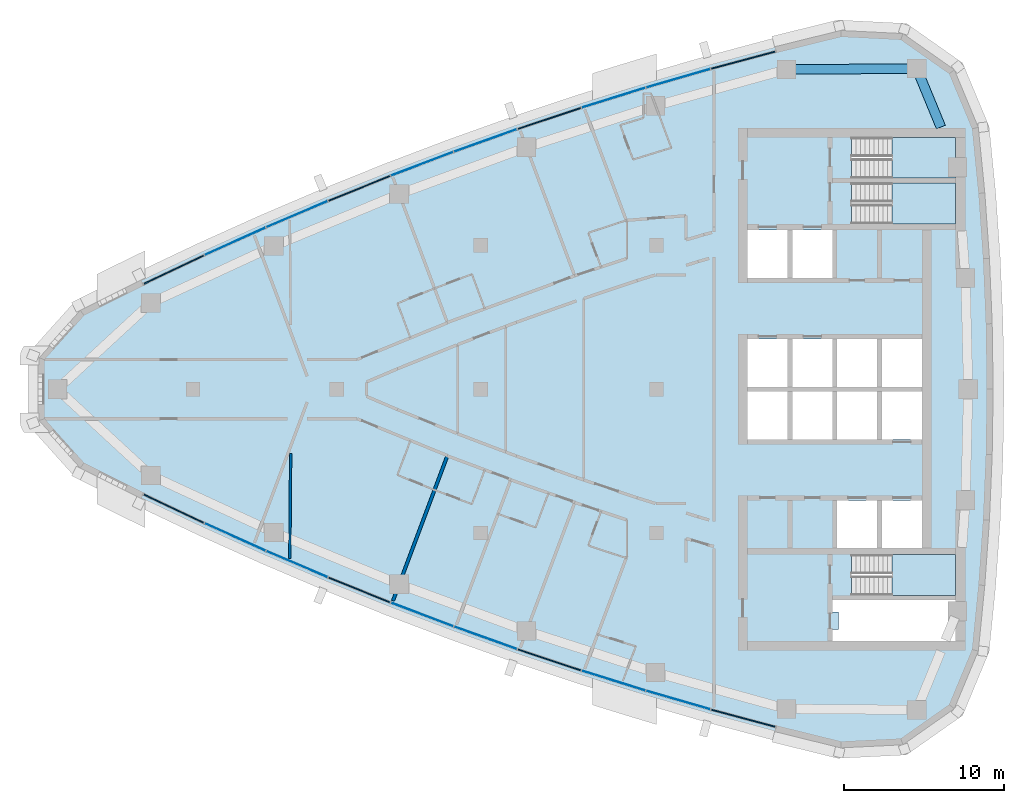
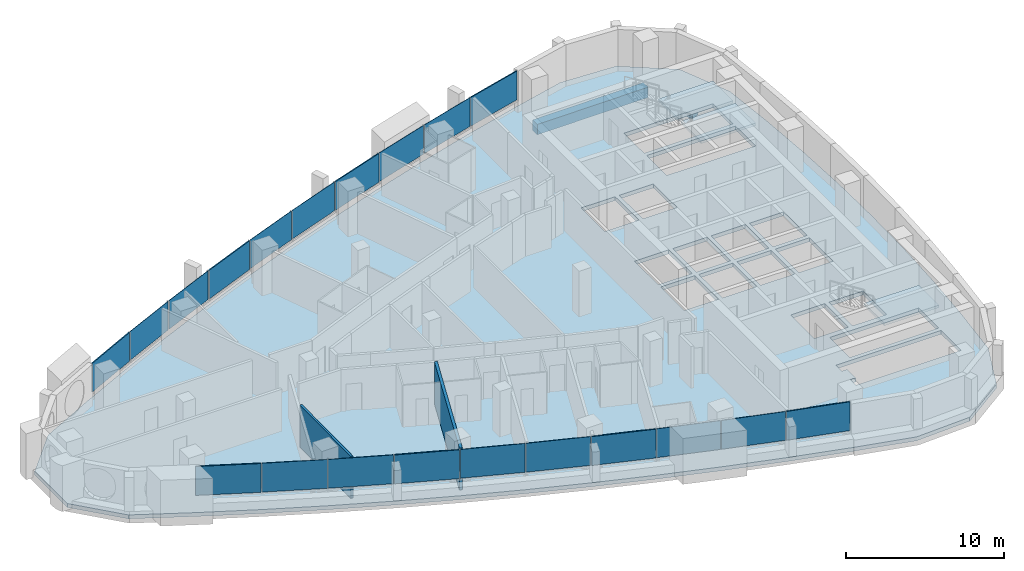
# One storey, part 7 of 16: 20 plates, 4 slabs, 2 beams, 2 walls, 1 opening, 13 elements without a shape of their own.
"""IFC4 building model written with IfcOpenShell, lengths in metres."""

from ifc_helpers import new_model, si_unit, direction, frame, frame_2d, origin, origin_2d, place, context, subcontext, project, spatial, polyline, rectangle, outline, extrude, material, layer, layer_set, material_profile, profile_set, type_object, element, aggregate, save


model = new_model("IFC4")

# Units and contexts
model_context = context("Model", 3, precision=1e-05, world=origin(), true_north=direction((0.0, 1.0)))
body_context = subcontext(model_context, "Body", "Model", "MODEL_VIEW")
ifc_project = project(units=[si_unit("LENGTHUNIT", "METRE"), si_unit("AREAUNIT", "SQUARE_METRE"), si_unit("VOLUMEUNIT", "CUBIC_METRE"), si_unit("PLANEANGLEUNIT", "RADIAN"), si_unit("MASSUNIT", "GRAM", prefix="KILO")], contexts=[model_context])

# Site, building, storey
site_placement = place(None, origin())
site = spatial("IfcSite", under=ifc_project, at=site_placement, CompositionType="ELEMENT")
building_placement = place(site_placement, origin())
building = spatial("IfcBuilding", under=site, at=building_placement, Name="Ostrand Prow Hotel Tower", CompositionType="ELEMENT")
storey_placement = place(building_placement, frame((0.0, 0.0, 220.800048828125)))
storey = spatial("IfcBuildingStorey", under=building, at=storey_placement, Name="L55", CompositionType="ELEMENT", Elevation=220.800048828125)

# Beams
ifc_material_1 = material(Name="Concrete C50/60", Category="concrete")
ifc_material_profile = material_profile(ifc_material_1, rectangle(XDim=0.60009765625, YDim=0.800048828125, at=origin_2d()), Name="RC 600x800")
ifc_profile_set = profile_set([ifc_material_profile], Name="Concrete C50/60")
beam_type = type_object("IfcBeamType", Name="Edge beam 600x800 C50/60", PredefinedType="SPANDREL", material=ifc_profile_set)
beam_1_placement = place(storey_placement, frame((62.7919921875, 16.39990234375, -0.699951171875), z_axis=(-0.380777709221, 0.924666608114, 0.0), x_axis=(-0.924666608114, -0.380777709221, 0.0)))
element("IfcBeam", 1, at=beam_1_placement, inside=storey, type_object=beam_type, Name="Edge beam B5-NE", PredefinedType="SPANDREL", context=body_context, shape_type="SweptSolid", body=[
    extrude(rectangle(XDim=0.60009765625, YDim=0.800048828125, at=origin_2d()), origin(), (0.0, 0.0, 1.0), 3.96044921875),
])
beam_2_placement = place(storey_placement, frame((61.283935546875, 20.06201171875, -0.699951171875), z_axis=(-0.999970657582, -0.007660546678, 0.0), x_axis=(0.007660546678, -0.999970657582, 0.0)))
element("IfcBeam", 2, at=beam_2_placement, inside=storey, type_object=beam_type, Name="Edge beam NE-N1", PredefinedType="SPANDREL", context=body_context, shape_type="SweptSolid", body=[
    extrude(rectangle(XDim=0.60009765625, YDim=0.800048828125, at=origin_2d()), origin(), (0.0, 0.0, 1.0), 8.15869140625),
])

# Curtain wall, plate
ifc_material_2 = material(Name="Insulated glass in bronze anodised frame", Category="glass")
ifc_layer_1 = layer(ifc_material_2, 0.199951171875)
ifc_layer_set_1 = layer_set([ifc_layer_1], Name="Insulated glass in bronze anodised frame")
curtain_wall_type = type_object("IfcCurtainWallType", Name="Strip curtain wall, fritted glass over bronze spandrel", PredefinedType="NOTDEFINED", material=ifc_layer_set_1)
curtain_wall_1_placement = place(storey_placement, origin())
curtain_wall_1 = element("IfcCurtainWall", 3, at=curtain_wall_1_placement, inside=storey, type_object=curtain_wall_type, Name="CW1 run CWS1", PredefinedType="NOTDEFINED")
ifc_material_3 = material(Name="Ceramic-fritted glass", Category="glass")
ifc_layer_2 = layer(ifc_material_3, 0.031982421875)
ifc_layer_set_2 = layer_set([ifc_layer_2], Name="Ceramic-fritted glass")
plate_type_1 = type_object("IfcPlateType", Name="Dot-fritted ceramic glass unit 32 mm", PredefinedType="CURTAIN_PANEL", material=ifc_layer_set_2)
plate_1_placement = place(storey_placement, frame((18.634521484375, -9.249267578125, 1.02001953125), z_axis=(0.0, 0.0, 1.0), x_axis=(0.911823681514, -0.41058199404, 0.0)))
plate_1 = element("IfcPlate", 4, at=plate_1_placement, type_object=plate_type_1, Name="CW1 PN-D panel 2.2", PredefinedType="CURTAIN_PANEL", context=body_context, shape_type="SweptSolid", body=[
    extrude(rectangle(XDim=4.163818359375, YDim=0.031982421875, at=origin_2d()), origin(), (0.0, 0.0, 1.0), 2.22998046875),
])

curtain_wall_2_placement = place(storey_placement, origin())
curtain_wall_2 = element("IfcCurtainWall", 5, at=curtain_wall_2_placement, inside=storey, type_object=curtain_wall_type, Name="CW1 run CWS2", PredefinedType="NOTDEFINED")
plate_2_placement = place(storey_placement, frame((22.502685546875, -10.944580078125, 1.02001953125), z_axis=(0.0, 0.0, 1.0), x_axis=(0.919907070112, -0.392136433347, 0.0)))
plate_2 = element("IfcPlate", 6, at=plate_2_placement, type_object=plate_type_1, Name="CW1 PN-D panel 1.2", PredefinedType="CURTAIN_PANEL", context=body_context, shape_type="SweptSolid", body=[
    extrude(rectangle(XDim=4.163818359375, YDim=0.031982421875, at=origin_2d()), origin(), (0.0, 0.0, 1.0), 2.22998046875),
])

# Curtain wall, plates
curtain_wall_3_placement = place(storey_placement, origin())
curtain_wall_3 = element("IfcCurtainWall", 7, at=curtain_wall_3_placement, inside=storey, type_object=curtain_wall_type, Name="CW1 run CWS3", PredefinedType="NOTDEFINED")
plate_3_placement = place(storey_placement, frame((30.337890625, -14.099609375, 1.02001953125), z_axis=(0.0, 0.0, 1.0), x_axis=(0.934950813567, -0.354777361469, 0.0)))
plate_3 = element("IfcPlate", 8, at=plate_3_placement, type_object=plate_type_1, Name="CW1 PN-D panel 1.2", PredefinedType="CURTAIN_PANEL", context=body_context, shape_type="SweptSolid", body=[
    extrude(rectangle(XDim=4.163818359375, YDim=0.031982421875, at=origin_2d()), origin(), (0.0, 0.0, 1.0), 2.22998046875),
])
plate_4_placement = place(storey_placement, frame((34.3017578125, -15.55810546875, 1.02001953125), z_axis=(0.0, 0.0, 1.0), x_axis=(0.941905718922, -0.335877383374, 0.0)))
plate_4 = element("IfcPlate", 9, at=plate_4_placement, type_object=plate_type_1, Name="CW1 PN-D panel 2.2", PredefinedType="CURTAIN_PANEL", context=body_context, shape_type="SweptSolid", body=[
    extrude(rectangle(XDim=4.163818359375, YDim=0.031982421875, at=origin_2d()), origin(), (0.0, 0.0, 1.0), 2.22998046875),
])
aggregate(curtain_wall_3, [plate_3, plate_4])

# Curtain wall, plate
curtain_wall_4_placement = place(storey_placement, origin())
curtain_wall_4 = element("IfcCurtainWall", 10, at=curtain_wall_4_placement, inside=storey, type_object=curtain_wall_type, Name="CW1 run CWS4", PredefinedType="NOTDEFINED")
plate_5_placement = place(storey_placement, frame((42.31298828125, -18.234375, 1.02001953125), z_axis=(0.0, 0.0, 1.0), x_axis=(0.95466629023, -0.297678138765, 0.0)))
plate_5 = element("IfcPlate", 11, at=plate_5_placement, type_object=plate_type_1, Name="CW1 PN-D panel 2.2", PredefinedType="CURTAIN_PANEL", context=body_context, shape_type="SweptSolid", body=[
    extrude(rectangle(XDim=4.163818359375, YDim=0.031982421875, at=origin_2d()), origin(), (0.0, 0.0, 1.0), 2.22998046875),
])

curtain_wall_5_placement = place(storey_placement, origin())
curtain_wall_5 = element("IfcCurtainWall", 12, at=curtain_wall_5_placement, inside=storey, type_object=curtain_wall_type, Name="CW1 run CWS5", PredefinedType="NOTDEFINED")
plate_6_placement = place(storey_placement, frame((46.357666015625, -19.450927734375, 1.02001953125), z_axis=(0.0, 0.0, 1.0), x_axis=(0.960467333745, -0.27839270969, 0.0)))
plate_6 = element("IfcPlate", 13, at=plate_6_placement, type_object=plate_type_1, Name="CW1 PN-D panel 1.2", PredefinedType="CURTAIN_PANEL", context=body_context, shape_type="SweptSolid", body=[
    extrude(rectangle(XDim=4.163818359375, YDim=0.031982421875, at=origin_2d()), origin(), (0.0, 0.0, 1.0), 2.22998046875),
])

curtain_wall_6_placement = place(storey_placement, origin())
curtain_wall_6 = element("IfcCurtainWall", 14, at=curtain_wall_6_placement, inside=storey, type_object=curtain_wall_type, Name="CW1 run CWN1", PredefinedType="NOTDEFINED")
plate_7_placement = place(storey_placement, frame((46.357666015625, 19.450927734375, 1.02001953125), z_axis=(0.0, 0.0, 1.0), x_axis=(-0.960467333745, -0.27839270969, 0.0)))
plate_7 = element("IfcPlate", 15, at=plate_7_placement, type_object=plate_type_1, Name="CW1 PN-D panel 2.2", PredefinedType="CURTAIN_PANEL", context=body_context, shape_type="SweptSolid", body=[
    extrude(rectangle(XDim=4.163818359375, YDim=0.031982421875, at=origin_2d()), origin(), (0.0, 0.0, 1.0), 2.22998046875),
])

curtain_wall_7_placement = place(storey_placement, origin())
curtain_wall_7 = element("IfcCurtainWall", 16, at=curtain_wall_7_placement, inside=storey, type_object=curtain_wall_type, Name="CW1 run CWN2", PredefinedType="NOTDEFINED")
plate_8_placement = place(storey_placement, frame((42.31298828125, 18.234375, 1.02001953125), z_axis=(0.0, 0.0, 1.0), x_axis=(-0.95466629023, -0.297678138765, 0.0)))
plate_8 = element("IfcPlate", 17, at=plate_8_placement, type_object=plate_type_1, Name="CW1 PN-D panel 1.2", PredefinedType="CURTAIN_PANEL", context=body_context, shape_type="SweptSolid", body=[
    extrude(rectangle(XDim=4.163818359375, YDim=0.031982421875, at=origin_2d()), origin(), (0.0, 0.0, 1.0), 2.22998046875),
])

# Curtain wall, plates
curtain_wall_8_placement = place(storey_placement, origin())
curtain_wall_8 = element("IfcCurtainWall", 18, at=curtain_wall_8_placement, inside=storey, type_object=curtain_wall_type, Name="CW1 run CWN3", PredefinedType="NOTDEFINED")
plate_9_placement = place(storey_placement, frame((34.3017578125, 15.55810546875, 1.02001953125), z_axis=(0.0, 0.0, 1.0), x_axis=(-0.941905718922, -0.335877383374, 0.0)))
plate_9 = element("IfcPlate", 19, at=plate_9_placement, type_object=plate_type_1, Name="CW1 PN-D panel 1.2", PredefinedType="CURTAIN_PANEL", context=body_context, shape_type="SweptSolid", body=[
    extrude(rectangle(XDim=4.163818359375, YDim=0.031982421875, at=origin_2d()), origin(), (0.0, 0.0, 1.0), 2.22998046875),
])
plate_10_placement = place(storey_placement, frame((30.337890625, 14.099609375, 1.02001953125), z_axis=(0.0, 0.0, 1.0), x_axis=(-0.934950813567, -0.354777361469, 0.0)))
plate_10 = element("IfcPlate", 20, at=plate_10_placement, type_object=plate_type_1, Name="CW1 PN-D panel 2.2", PredefinedType="CURTAIN_PANEL", context=body_context, shape_type="SweptSolid", body=[
    extrude(rectangle(XDim=4.163818359375, YDim=0.031982421875, at=origin_2d()), origin(), (0.0, 0.0, 1.0), 2.22998046875),
])
aggregate(curtain_wall_8, [plate_9, plate_10])

# Curtain wall, plate
curtain_wall_9_placement = place(storey_placement, origin())
curtain_wall_9 = element("IfcCurtainWall", 21, at=curtain_wall_9_placement, inside=storey, type_object=curtain_wall_type, Name="CW1 run CWN4", PredefinedType="NOTDEFINED")
plate_11_placement = place(storey_placement, frame((22.502685546875, 10.944580078125, 1.02001953125), z_axis=(0.0, 0.0, 1.0), x_axis=(-0.919907070112, -0.392136433347, 0.0)))
plate_11 = element("IfcPlate", 22, at=plate_11_placement, type_object=plate_type_1, Name="CW1 PN-D panel 2.2", PredefinedType="CURTAIN_PANEL", context=body_context, shape_type="SweptSolid", body=[
    extrude(rectangle(XDim=4.163818359375, YDim=0.031982421875, at=origin_2d()), origin(), (0.0, 0.0, 1.0), 2.22998046875),
])

curtain_wall_10_placement = place(storey_placement, origin())
curtain_wall_10 = element("IfcCurtainWall", 23, at=curtain_wall_10_placement, inside=storey, type_object=curtain_wall_type, Name="CW1 run CWN5", PredefinedType="NOTDEFINED")
plate_12_placement = place(storey_placement, frame((18.634521484375, 9.249267578125, 1.02001953125), z_axis=(0.0, 0.0, 1.0), x_axis=(-0.911823681514, -0.41058199404, 0.0)))
plate_12 = element("IfcPlate", 24, at=plate_12_placement, type_object=plate_type_1, Name="CW1 PN-D panel 1.2", PredefinedType="CURTAIN_PANEL", context=body_context, shape_type="SweptSolid", body=[
    extrude(rectangle(XDim=4.163818359375, YDim=0.031982421875, at=origin_2d()), origin(), (0.0, 0.0, 1.0), 2.22998046875),
])

# Plate
ifc_material_4 = material(Name="Fritted glass in bronze vent frame", Category="glass")
ifc_layer_3 = layer(ifc_material_4, 0.080078125)
ifc_layer_set_3 = layer_set([ifc_layer_3], Name="Fritted glass in bronze vent frame")
plate_type_2 = type_object("IfcPlateType", Name="Operable vent panel 80 mm", PredefinedType="CURTAIN_PANEL", material=ifc_layer_set_3)
plate_13_placement = place(storey_placement, frame((14.801025390625, -7.4765625, 1.02001953125), z_axis=(0.0, 0.0, 1.0), x_axis=(0.903370475577, -0.428861030937, 0.0)))
plate_13 = element("IfcPlate", 25, at=plate_13_placement, type_object=plate_type_2, Name="CW1 PN-O2 panel 1.2", PredefinedType="CURTAIN_PANEL", context=body_context, shape_type="SweptSolid", body=[
    extrude(rectangle(XDim=4.163818359375, YDim=0.080078125, at=origin_2d()), origin(), (0.0, 0.0, 1.0), 2.22998046875),
])

aggregate(curtain_wall_1, [plate_13, plate_1])

plate_14_placement = place(storey_placement, frame((26.404541015625, -12.5615234375, 1.02001953125), z_axis=(0.0, 0.0, 1.0), x_axis=(0.927616710972, -0.373533449004, 0.0)))
plate_14 = element("IfcPlate", 26, at=plate_14_placement, type_object=plate_type_2, Name="CW1 PN-O2 panel 2.2", PredefinedType="CURTAIN_PANEL", context=body_context, shape_type="SweptSolid", body=[
    extrude(rectangle(XDim=4.163818359375, YDim=0.080078125, at=origin_2d()), origin(), (0.0, 0.0, 1.0), 2.22998046875),
])

aggregate(curtain_wall_2, [plate_2, plate_14])

plate_15_placement = place(storey_placement, frame((38.2939453125, -16.9365234375, 1.02001953125), z_axis=(0.0, 0.0, 1.0), x_axis=(0.948478606268, -0.31684118017, 0.0)))
plate_15 = element("IfcPlate", 27, at=plate_15_placement, type_object=plate_type_2, Name="CW1 PN-O2 panel 1.2", PredefinedType="CURTAIN_PANEL", context=body_context, shape_type="SweptSolid", body=[
    extrude(rectangle(XDim=4.163818359375, YDim=0.080078125, at=origin_2d()), origin(), (0.0, 0.0, 1.0), 2.22998046875),
])

aggregate(curtain_wall_4, [plate_15, plate_5])

plate_16_placement = place(storey_placement, frame((50.42578125, -20.5859375, 1.02001953125), z_axis=(0.0, 0.0, 1.0), x_axis=(0.965878831034, -0.258994370132, 0.0)))
plate_16 = element("IfcPlate", 28, at=plate_16_placement, type_object=plate_type_2, Name="CW1 PN-O2 panel 2.2", PredefinedType="CURTAIN_PANEL", context=body_context, shape_type="SweptSolid", body=[
    extrude(rectangle(XDim=4.163818359375, YDim=0.080078125, at=origin_2d()), origin(), (0.0, 0.0, 1.0), 2.22998046875),
])

aggregate(curtain_wall_5, [plate_6, plate_16])

plate_17_placement = place(storey_placement, frame((50.42578125, 20.5859375, 1.02001953125), z_axis=(0.0, 0.0, 1.0), x_axis=(-0.965878831034, -0.258994370132, 0.0)))
plate_17 = element("IfcPlate", 29, at=plate_17_placement, type_object=plate_type_2, Name="CW1 PN-O2 panel 1.2", PredefinedType="CURTAIN_PANEL", context=body_context, shape_type="SweptSolid", body=[
    extrude(rectangle(XDim=4.163818359375, YDim=0.080078125, at=origin_2d()), origin(), (0.0, 0.0, 1.0), 2.22998046875),
])

aggregate(curtain_wall_6, [plate_17, plate_7])

plate_18_placement = place(storey_placement, frame((38.2939453125, 16.9365234375, 1.02001953125), z_axis=(0.0, 0.0, 1.0), x_axis=(-0.948478606268, -0.31684118017, 0.0)))
plate_18 = element("IfcPlate", 30, at=plate_18_placement, type_object=plate_type_2, Name="CW1 PN-O2 panel 2.2", PredefinedType="CURTAIN_PANEL", context=body_context, shape_type="SweptSolid", body=[
    extrude(rectangle(XDim=4.163818359375, YDim=0.080078125, at=origin_2d()), origin(), (0.0, 0.0, 1.0), 2.22998046875),
])

aggregate(curtain_wall_7, [plate_8, plate_18])

plate_19_placement = place(storey_placement, frame((26.404541015625, 12.5615234375, 1.02001953125), z_axis=(0.0, 0.0, 1.0), x_axis=(-0.927616710972, -0.373533449004, 0.0)))
plate_19 = element("IfcPlate", 31, at=plate_19_placement, type_object=plate_type_2, Name="CW1 PN-O2 panel 1.2", PredefinedType="CURTAIN_PANEL", context=body_context, shape_type="SweptSolid", body=[
    extrude(rectangle(XDim=4.163818359375, YDim=0.080078125, at=origin_2d()), origin(), (0.0, 0.0, 1.0), 2.22998046875),
])

aggregate(curtain_wall_9, [plate_19, plate_11])

plate_20_placement = place(storey_placement, frame((14.801025390625, 7.4765625, 1.02001953125), z_axis=(0.0, 0.0, 1.0), x_axis=(-0.903370475577, -0.428861030937, 0.0)))
plate_20 = element("IfcPlate", 32, at=plate_20_placement, type_object=plate_type_2, Name="CW1 PN-O2 panel 2.2", PredefinedType="CURTAIN_PANEL", context=body_context, shape_type="SweptSolid", body=[
    extrude(rectangle(XDim=4.163818359375, YDim=0.080078125, at=origin_2d()), origin(), (0.0, 0.0, 1.0), 2.22998046875),
])

aggregate(curtain_wall_10, [plate_12, plate_20])

# Slab, opening
ifc_material_5 = material(Name="Concrete C40/50", Category="concrete")
ifc_layer_4 = layer(ifc_material_5, 0.300048828125)
ifc_layer_set_4 = layer_set([ifc_layer_4], Name="Concrete C40/50")
slab_type_1 = type_object("IfcSlabType", Name="PT flat plate 300 C40/50", PredefinedType="FLOOR", material=ifc_layer_set_4)
slab_1_placement = place(storey_placement, frame((0.0, 0.0, -0.300048828125)))
slab_1 = element("IfcSlab", 33, at=slab_1_placement, inside=storey, type_object=slab_type_1, Name="Floor slab L55-1", PredefinedType="FLOOR", context=body_context, shape_type="SweptSolid", body=[
    extrude(outline(polyline([(8.85205078125, 5.097412109375), (12.679443359375, 7.009765625), (16.50390625, 8.825439453125), (20.364013671875, 10.563720703125), (24.258544921875, 12.223876953125), (28.185791015625, 13.80517578125), (32.143798828125, 15.30712890625), (36.131591796875, 16.72900390625), (40.14697265625, 18.0703125), (44.188720703125, 19.330810546875), (48.2548828125, 20.50927734375), (52.343994140625, 21.605712890625), (56.4873046875, 22.627685546875), (60.48193359375, 22.4287109375), (63.7822265625, 20.107177734375), (65.320068359375, 16.414794921875), (65.728515625, 12.29736328125), (66.018310546875, 8.20361328125), (66.19189453125, 4.103515625), (66.25, 0.0), (66.19189453125, -4.103515625), (66.018310546875, -8.20361328125), (65.728515625, -12.29736328125), (65.320068359375, -16.414794921875), (63.7822265625, -20.107177734375), (60.48193359375, -22.4287109375), (56.4873046875, -22.627685546875), (52.343994140625, -21.605712890625), (48.2548828125, -20.50927734375), (44.188720703125, -19.330810546875), (40.14697265625, -18.0703125), (36.131591796875, -16.72900390625), (32.143798828125, -15.30712890625), (28.185791015625, -13.80517578125), (24.258544921875, -12.223876953125), (20.364013671875, -10.563720703125), (16.50390625, -8.825439453125), (12.679443359375, -7.009765625), (8.85205078125, -5.097412109375), (6.127685546875, -2.06298828125), (6.127685546875, 2.06298828125), (8.85205078125, 5.097412109375)]), holes=[polyline([(50.699951171875, 6.949951171875), (53.199951171875, 6.949951171875), (53.199951171875, 9.949951171875), (50.699951171875, 9.949951171875), (50.699951171875, 6.949951171875)]), polyline([(53.5, 6.949951171875), (56.0, 6.949951171875), (56.0, 9.949951171875), (53.5, 9.949951171875), (53.5, 6.949951171875)]), polyline([(50.699951171875, 0.14990234375), (53.199951171875, 0.14990234375), (53.199951171875, 3.14990234375), (50.699951171875, 3.14990234375), (50.699951171875, 0.14990234375)]), polyline([(53.5, 0.14990234375), (56.0, 0.14990234375), (56.0, 3.14990234375), (53.5, 3.14990234375), (53.5, 0.14990234375)]), polyline([(56.300048828125, 0.14990234375), (58.800048828125, 0.14990234375), (58.800048828125, 3.14990234375), (56.300048828125, 3.14990234375), (56.300048828125, 0.14990234375)]), polyline([(59.10009765625, 0.14990234375), (61.60009765625, 0.14990234375), (61.60009765625, 3.14990234375), (59.10009765625, 3.14990234375), (59.10009765625, 0.14990234375)]), polyline([(50.699951171875, -3.14990234375), (53.199951171875, -3.14990234375), (53.199951171875, -0.14990234375), (50.699951171875, -0.14990234375), (50.699951171875, -3.14990234375)]), polyline([(53.5, -3.14990234375), (56.0, -3.14990234375), (56.0, -0.14990234375), (53.5, -0.14990234375), (53.5, -3.14990234375)]), polyline([(56.300048828125, -3.14990234375), (58.800048828125, -3.14990234375), (58.800048828125, -0.14990234375), (56.300048828125, -0.14990234375), (56.300048828125, -3.14990234375)]), polyline([(59.10009765625, -3.14990234375), (61.60009765625, -3.14990234375), (61.60009765625, -0.14990234375), (59.10009765625, -0.14990234375), (59.10009765625, -3.14990234375)]), polyline([(56.300048828125, -9.949951171875), (58.800048828125, -9.949951171875), (58.800048828125, -6.949951171875), (56.300048828125, -6.949951171875), (56.300048828125, -9.949951171875)]), polyline([(59.10009765625, -9.949951171875), (61.60009765625, -9.949951171875), (61.60009765625, -6.949951171875), (59.10009765625, -6.949951171875), (59.10009765625, -9.949951171875)]), polyline([(57.200927734375, 10.35107421875), (57.200927734375, 12.89892578125), (63.718994140625, 12.89892578125), (63.718994140625, 10.35107421875), (57.200927734375, 10.35107421875)]), polyline([(57.200927734375, 13.200927734375), (57.200927734375, 15.7490234375), (63.718994140625, 15.7490234375), (63.718994140625, 13.200927734375), (57.200927734375, 13.200927734375)]), polyline([(57.200927734375, -12.89892578125), (57.200927734375, -10.35107421875), (63.718994140625, -10.35107421875), (63.718994140625, -12.89892578125), (57.200927734375, -12.89892578125)]), polyline([(63.719970703125, -13.199951171875), (63.719970703125, -15.75), (56.0, -15.75), (56.0, -15.050048828125), (56.39990234375, -15.050048828125), (56.39990234375, -13.949951171875), (56.0, -13.949951171875), (56.0, -13.199951171875), (63.719970703125, -13.199951171875)])]), origin(), (0.0, 0.0, 1.0), 0.300048828125),
])
opening_placement = place(slab_1_placement, origin())
element("IfcOpeningElement", 34, at=opening_placement, cuts=slab_1, Name="Shaft opening 1", PredefinedType="OPENING", context=body_context, shape_type="SweptSolid", body=[
    extrude(outline(polyline([(63.719970703125, -13.199951171875), (63.719970703125, -15.75), (56.0, -15.75), (56.0, -15.050048828125), (56.39990234375, -15.050048828125), (56.39990234375, -13.949951171875), (56.0, -13.949951171875), (56.0, -13.199951171875), (63.719970703125, -13.199951171875)])), origin(), (0.0, 0.0, 1.0), 0.300048828125),
])

# Stair, slab
ifc_material_6 = material(Name="Concrete C40/50", Category="concrete")
stair_type = type_object("IfcStairType", Name="Exit stair 1200 upper zone", PredefinedType="HALF_TURN_STAIR", material=ifc_material_6)
stair_1_placement = place(storey_placement, origin())
stair_1 = element("IfcStair", 35, at=stair_1_placement, inside=storey, type_object=stair_type, Name="L55 ST1C", PredefinedType="HALF_TURN_STAIR")
ifc_material_7 = material(Name="Concrete C40/50", Category="concrete")
ifc_layer_5 = layer(ifc_material_7, 0.199951171875)
ifc_layer_set_5 = layer_set([ifc_layer_5], Name="Concrete C40/50")
slab_type_2 = type_object("IfcSlabType", Name="Stair landing 200 concrete", PredefinedType="LANDING", material=ifc_layer_set_5)
slab_2_placement = place(storey_placement, frame((0.0, 0.0, 1.574951171875)))
slab_2 = element("IfcSlab", 36, at=slab_2_placement, type_object=slab_type_2, Name="ST1C landing 1", PredefinedType="LANDING", context=body_context, shape_type="SweptSolid", body=[
    extrude(outline(polyline([(59.719970703125, 10.35009765625), (63.719970703125, 10.35009765625), (63.719970703125, 12.89990234375), (59.719970703125, 12.89990234375), (59.719970703125, 10.35009765625)])), origin(), (0.0, 0.0, 1.0), 0.199951171875),
])
aggregate(stair_1, [slab_2])

stair_2_placement = place(storey_placement, origin())
stair_2 = element("IfcStair", 37, at=stair_2_placement, inside=storey, type_object=stair_type, Name="L55 ST3C", PredefinedType="HALF_TURN_STAIR")
slab_3_placement = place(storey_placement, frame((0.0, 0.0, 1.574951171875)))
slab_3 = element("IfcSlab", 38, at=slab_3_placement, type_object=slab_type_2, Name="ST3C landing 1", PredefinedType="LANDING", context=body_context, shape_type="SweptSolid", body=[
    extrude(outline(polyline([(59.719970703125, 13.199951171875), (63.719970703125, 13.199951171875), (63.719970703125, 15.75), (59.719970703125, 15.75), (59.719970703125, 13.199951171875)])), origin(), (0.0, 0.0, 1.0), 0.199951171875),
])
aggregate(stair_2, [slab_3])

stair_3_placement = place(storey_placement, origin())
stair_3 = element("IfcStair", 39, at=stair_3_placement, inside=storey, type_object=stair_type, Name="L55 ST2C", PredefinedType="HALF_TURN_STAIR")
slab_4_placement = place(storey_placement, frame((0.0, 0.0, 1.574951171875)))
slab_4 = element("IfcSlab", 40, at=slab_4_placement, type_object=slab_type_2, Name="ST2C landing 1", PredefinedType="LANDING", context=body_context, shape_type="SweptSolid", body=[
    extrude(outline(polyline([(59.719970703125, -12.89990234375), (63.719970703125, -12.89990234375), (63.719970703125, -10.35009765625), (59.719970703125, -10.35009765625), (59.719970703125, -12.89990234375)])), origin(), (0.0, 0.0, 1.0), 0.199951171875),
])
aggregate(stair_3, [slab_4])

# Walls
ifc_material_8 = material(Name="Plasterboard partition")
ifc_layer_6 = layer(ifc_material_8, 0.14990234375)
ifc_layer_set_6 = layer_set([ifc_layer_6], Name="Plasterboard partition")
wall_type_1 = type_object("IfcWallType", Name="Partition 150 room partition", PredefinedType="PARTITIONING", material=ifc_layer_set_6)
wall_1_placement = place(storey_placement, frame((22.1123046875, -4.022705078125, 0.0), z_axis=(0.0, 0.0, 1.0), x_axis=(-0.008379594055, -0.999964890585, 0.0)))
element("IfcWall", 41, at=wall_1_placement, inside=storey, type_object=wall_type_1, Name="ROOM PARTITION", PredefinedType="PARTITIONING", context=body_context, shape_type="SweptSolid", body=[
    extrude(rectangle(XDim=6.555419921875, YDim=0.14990234375, at=frame_2d((3.27783203125, 0.0))), origin(), (0.0, 0.0, 1.0), 3.25),
])
ifc_material_9 = material(Name="Plasterboard partition")
ifc_layer_7 = layer(ifc_material_9, 0.199951171875)
ifc_layer_set_7 = layer_set([ifc_layer_7], Name="Plasterboard partition")
wall_type_2 = type_object("IfcWallType", Name="Partition 200 key partition", PredefinedType="PARTITIONING", material=ifc_layer_set_7)
wall_2_placement = place(storey_placement, frame((28.51416015625, -13.234619140625, 0.0), z_axis=(0.0, 0.0, 1.0), x_axis=(0.351126199585, 0.936328143316, 0.0)))
element("IfcWall", 42, at=wall_2_placement, inside=storey, type_object=wall_type_2, Name="KEY PARTITION", PredefinedType="PARTITIONING", context=body_context, shape_type="SweptSolid", body=[
    extrude(rectangle(XDim=9.700927734375, YDim=0.199951171875, at=frame_2d((4.8505859375, 0.0))), origin(), (0.0, 0.0, 1.0), 3.25),
])

save(model, "model.ifc")
